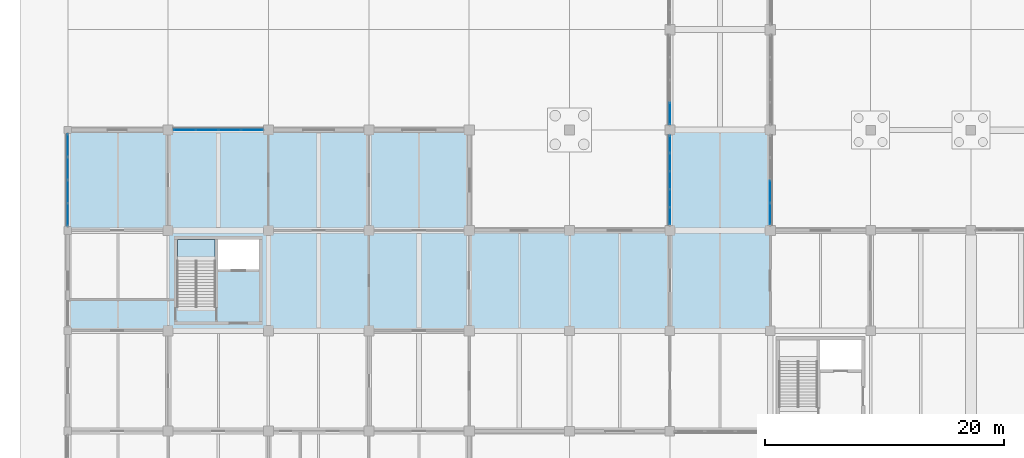
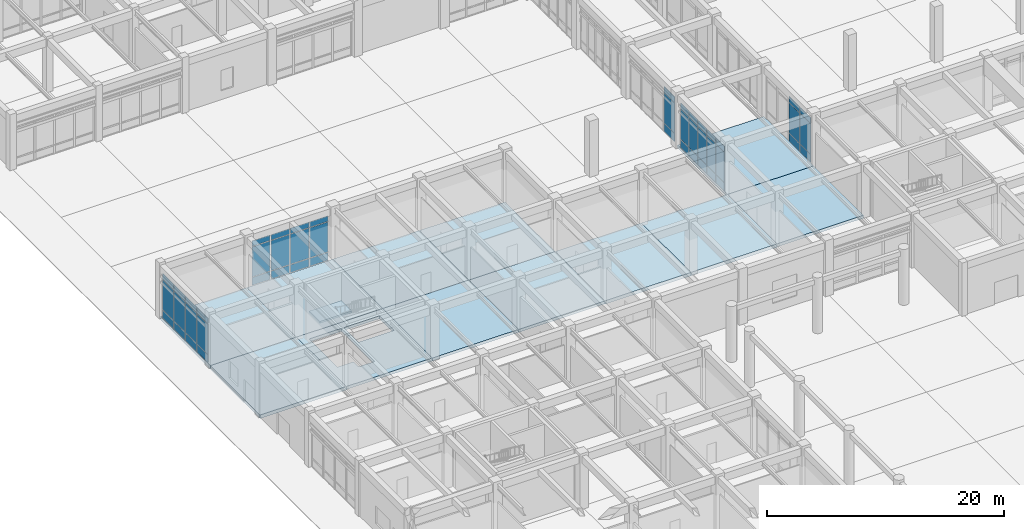
# One storey, part 52 of 91: 48 plates, 13 slabs, 6 elements without a shape of their own.
"""IFC4 building model written with IfcOpenShell, lengths in metres."""

from ifc_helpers import new_model, si_unit, direction, frame, origin, origin_2d, place, context, subcontext, project, spatial, polyline, rectangle, outline, extrude, material, layer, layer_set, type_object, element, aggregate, save


model = new_model("IFC4")

# Units and contexts
model_context = context("Model", 3, precision=1e-05, world=origin(), true_north=direction((0.0, 1.0)))
body_context = subcontext(model_context, "Body", "Model", "MODEL_VIEW")
ifc_project = project(units=[si_unit("LENGTHUNIT", "METRE"), si_unit("AREAUNIT", "SQUARE_METRE"), si_unit("VOLUMEUNIT", "CUBIC_METRE"), si_unit("PLANEANGLEUNIT", "RADIAN"), si_unit("MASSUNIT", "GRAM", prefix="KILO")], contexts=[model_context])

# Site, building, storey
site_placement = place(None, origin())
site = spatial("IfcSite", under=ifc_project, at=site_placement, CompositionType="ELEMENT")
building_placement = place(site_placement, origin())
building = spatial("IfcBuilding", under=site, at=building_placement, Name="Porcellanite Civic Hall", CompositionType="ELEMENT")
storey_placement = place(building_placement, origin())
storey = spatial("IfcBuildingStorey", under=building, at=storey_placement, Name="L00", CompositionType="ELEMENT", Elevation=0.0)

# Curtain wall, plates
ifc_material_1 = material(Name="Anodised aluminium and solar laminated glass", Category="aluminium")
ifc_layer_1 = layer(ifc_material_1, 0.179931640625)
ifc_layer_set_1 = layer_set([ifc_layer_1], Name="Anodised aluminium and solar laminated glass")
curtain_wall_type_1 = type_object("IfcCurtainWallType", Name="CW-SYS05", PredefinedType="NOTDEFINED", material=ifc_layer_set_1)
curtain_wall_1_placement = place(storey_placement, origin())
curtain_wall_1 = element("IfcCurtainWall", 1, at=curtain_wall_1_placement, inside=storey, type_object=curtain_wall_type_1, Name="Curtain wall CW-004", PredefinedType="NOTDEFINED")
ifc_material_2 = material(Name="Cyclone laminated solar-control low-E glass", Category="glass")
ifc_layer_2 = layer(ifc_material_2, 0.028076171875)
ifc_layer_set_2 = layer_set([ifc_layer_2], Name="Cyclone laminated solar-control low-E glass")
plate_type_1 = type_object("IfcPlateType", Name="CWP-03", PredefinedType="CURTAIN_PANEL", material=ifc_layer_set_2)
plate_1_placement = place(storey_placement, frame((0.0, 68.51513671875, 0.06005859375), z_axis=(0.0, 0.0, 1.0), x_axis=(0.0, 1.0, 0.0)))
plate_1 = element("IfcPlate", 2, at=plate_1_placement, type_object=plate_type_1, Name="CW-004 panel 1.1", PredefinedType="CURTAIN_PANEL", context=body_context, shape_type="SweptSolid", body=[
    extrude(rectangle(XDim=1.838134765625, YDim=0.028076171875, at=origin_2d()), origin(), (0.0, 0.0, 1.0), 0.81005859375),
])
plate_2_placement = place(storey_placement, frame((0.0, 68.51513671875, 0.93017578125), z_axis=(0.0, 0.0, 1.0), x_axis=(0.0, 1.0, 0.0)))
plate_2 = element("IfcPlate", 3, at=plate_2_placement, type_object=plate_type_1, Name="CW-004 panel 1.2", PredefinedType="CURTAIN_PANEL", context=body_context, shape_type="SweptSolid", body=[
    extrude(rectangle(XDim=1.838134765625, YDim=0.028076171875, at=origin_2d()), origin(), (0.0, 0.0, 1.0), 3.090087890625),
])
plate_3_placement = place(storey_placement, frame((0.0, 68.51513671875, 4.080078125), z_axis=(0.0, 0.0, 1.0), x_axis=(0.0, 1.0, 0.0)))
plate_3 = element("IfcPlate", 4, at=plate_3_placement, type_object=plate_type_1, Name="CW-004 panel 1.3", PredefinedType="CURTAIN_PANEL", context=body_context, shape_type="SweptSolid", body=[
    extrude(rectangle(XDim=1.838134765625, YDim=0.028076171875, at=origin_2d()), origin(), (0.0, 0.0, 1.0), 0.56005859375),
])
plate_4_placement = place(storey_placement, frame((0.0, 70.44091796875, 0.06005859375), z_axis=(0.0, 0.0, 1.0), x_axis=(0.0, 1.0, 0.0)))
plate_4 = element("IfcPlate", 5, at=plate_4_placement, type_object=plate_type_1, Name="CW-004 panel 2.1", PredefinedType="CURTAIN_PANEL", context=body_context, shape_type="SweptSolid", body=[
    extrude(rectangle(XDim=1.873291015625, YDim=0.028076171875, at=origin_2d()), origin(), (0.0, 0.0, 1.0), 0.81005859375),
])
plate_5_placement = place(storey_placement, frame((0.0, 70.44091796875, 0.93017578125), z_axis=(0.0, 0.0, 1.0), x_axis=(0.0, 1.0, 0.0)))
plate_5 = element("IfcPlate", 6, at=plate_5_placement, type_object=plate_type_1, Name="CW-004 panel 2.2", PredefinedType="CURTAIN_PANEL", context=body_context, shape_type="SweptSolid", body=[
    extrude(rectangle(XDim=1.873291015625, YDim=0.028076171875, at=origin_2d()), origin(), (0.0, 0.0, 1.0), 3.090087890625),
])
plate_6_placement = place(storey_placement, frame((0.0, 70.44091796875, 4.080078125), z_axis=(0.0, 0.0, 1.0), x_axis=(0.0, 1.0, 0.0)))
plate_6 = element("IfcPlate", 7, at=plate_6_placement, type_object=plate_type_1, Name="CW-004 panel 2.3", PredefinedType="CURTAIN_PANEL", context=body_context, shape_type="SweptSolid", body=[
    extrude(rectangle(XDim=1.873291015625, YDim=0.028076171875, at=origin_2d()), origin(), (0.0, 0.0, 1.0), 0.56005859375),
])
plate_7_placement = place(storey_placement, frame((0.0, 72.384033203125, 0.06005859375), z_axis=(0.0, 0.0, 1.0), x_axis=(0.0, 1.0, 0.0)))
plate_7 = element("IfcPlate", 8, at=plate_7_placement, type_object=plate_type_1, Name="CW-004 panel 3.1", PredefinedType="CURTAIN_PANEL", context=body_context, shape_type="SweptSolid", body=[
    extrude(rectangle(XDim=1.873291015625, YDim=0.028076171875, at=origin_2d()), origin(), (0.0, 0.0, 1.0), 0.81005859375),
])
plate_8_placement = place(storey_placement, frame((0.0, 72.384033203125, 0.93017578125), z_axis=(0.0, 0.0, 1.0), x_axis=(0.0, 1.0, 0.0)))
plate_8 = element("IfcPlate", 9, at=plate_8_placement, type_object=plate_type_1, Name="CW-004 panel 3.2", PredefinedType="CURTAIN_PANEL", context=body_context, shape_type="SweptSolid", body=[
    extrude(rectangle(XDim=1.873291015625, YDim=0.028076171875, at=origin_2d()), origin(), (0.0, 0.0, 1.0), 3.090087890625),
])
plate_9_placement = place(storey_placement, frame((0.0, 72.384033203125, 4.080078125), z_axis=(0.0, 0.0, 1.0), x_axis=(0.0, 1.0, 0.0)))
plate_9 = element("IfcPlate", 10, at=plate_9_placement, type_object=plate_type_1, Name="CW-004 panel 3.3", PredefinedType="CURTAIN_PANEL", context=body_context, shape_type="SweptSolid", body=[
    extrude(rectangle(XDim=1.873291015625, YDim=0.028076171875, at=origin_2d()), origin(), (0.0, 0.0, 1.0), 0.56005859375),
])
plate_10_placement = place(storey_placement, frame((0.0, 74.309814453125, 0.06005859375), z_axis=(0.0, 0.0, 1.0), x_axis=(0.0, 1.0, 0.0)))
plate_10 = element("IfcPlate", 11, at=plate_10_placement, type_object=plate_type_1, Name="CW-004 panel 4.1", PredefinedType="CURTAIN_PANEL", context=body_context, shape_type="SweptSolid", body=[
    extrude(rectangle(XDim=1.838134765625, YDim=0.028076171875, at=origin_2d()), origin(), (0.0, 0.0, 1.0), 0.81005859375),
])
plate_11_placement = place(storey_placement, frame((0.0, 74.309814453125, 0.93017578125), z_axis=(0.0, 0.0, 1.0), x_axis=(0.0, 1.0, 0.0)))
plate_11 = element("IfcPlate", 12, at=plate_11_placement, type_object=plate_type_1, Name="CW-004 panel 4.2", PredefinedType="CURTAIN_PANEL", context=body_context, shape_type="SweptSolid", body=[
    extrude(rectangle(XDim=1.838134765625, YDim=0.028076171875, at=origin_2d()), origin(), (0.0, 0.0, 1.0), 3.090087890625),
])
plate_12_placement = place(storey_placement, frame((0.0, 74.309814453125, 4.080078125), z_axis=(0.0, 0.0, 1.0), x_axis=(0.0, 1.0, 0.0)))
plate_12 = element("IfcPlate", 13, at=plate_12_placement, type_object=plate_type_1, Name="CW-004 panel 4.3", PredefinedType="CURTAIN_PANEL", context=body_context, shape_type="SweptSolid", body=[
    extrude(rectangle(XDim=1.838134765625, YDim=0.028076171875, at=origin_2d()), origin(), (0.0, 0.0, 1.0), 0.56005859375),
])
aggregate(curtain_wall_1, [plate_1, plate_2, plate_3, plate_4, plate_5, plate_6, plate_7, plate_8, plate_9, plate_10, plate_11, plate_12])

curtain_wall_2_placement = place(storey_placement, origin())
curtain_wall_2 = element("IfcCurtainWall", 14, at=curtain_wall_2_placement, inside=storey, type_object=curtain_wall_type_1, Name="Curtain wall CW-007", PredefinedType="NOTDEFINED")
plate_13_placement = place(storey_placement, frame((9.787109375, 75.60009765625, 0.06005859375), z_axis=(0.0, 0.0, 1.0), x_axis=(1.0, 0.0, 0.0)))
plate_13 = element("IfcPlate", 15, at=plate_13_placement, type_object=plate_type_1, Name="CW-007 panel 1.1", PredefinedType="CURTAIN_PANEL", context=body_context, shape_type="SweptSolid", body=[
    extrude(rectangle(XDim=1.781982421875, YDim=0.028076171875, at=origin_2d()), origin(), (0.0, 0.0, 1.0), 0.81005859375),
])
plate_14_placement = place(storey_placement, frame((9.787109375, 75.60009765625, 0.93017578125), z_axis=(0.0, 0.0, 1.0), x_axis=(1.0, 0.0, 0.0)))
plate_14 = element("IfcPlate", 16, at=plate_14_placement, type_object=plate_type_1, Name="CW-007 panel 1.2", PredefinedType="CURTAIN_PANEL", context=body_context, shape_type="SweptSolid", body=[
    extrude(rectangle(XDim=1.781982421875, YDim=0.028076171875, at=origin_2d()), origin(), (0.0, 0.0, 1.0), 3.090087890625),
])
plate_15_placement = place(storey_placement, frame((9.787109375, 75.60009765625, 4.080078125), z_axis=(0.0, 0.0, 1.0), x_axis=(1.0, 0.0, 0.0)))
plate_15 = element("IfcPlate", 17, at=plate_15_placement, type_object=plate_type_1, Name="CW-007 panel 1.3", PredefinedType="CURTAIN_PANEL", context=body_context, shape_type="SweptSolid", body=[
    extrude(rectangle(XDim=1.781982421875, YDim=0.028076171875, at=origin_2d()), origin(), (0.0, 0.0, 1.0), 0.56005859375),
])
plate_16_placement = place(storey_placement, frame((11.656494140625, 75.60009765625, 0.06005859375), z_axis=(0.0, 0.0, 1.0), x_axis=(1.0, 0.0, 0.0)))
plate_16 = element("IfcPlate", 18, at=plate_16_placement, type_object=plate_type_1, Name="CW-007 panel 2.1", PredefinedType="CURTAIN_PANEL", context=body_context, shape_type="SweptSolid", body=[
    extrude(rectangle(XDim=1.81689453125, YDim=0.028076171875, at=origin_2d()), origin(), (0.0, 0.0, 1.0), 0.81005859375),
])
plate_17_placement = place(storey_placement, frame((11.656494140625, 75.60009765625, 0.93017578125), z_axis=(0.0, 0.0, 1.0), x_axis=(1.0, 0.0, 0.0)))
plate_17 = element("IfcPlate", 19, at=plate_17_placement, type_object=plate_type_1, Name="CW-007 panel 2.2", PredefinedType="CURTAIN_PANEL", context=body_context, shape_type="SweptSolid", body=[
    extrude(rectangle(XDim=1.81689453125, YDim=0.028076171875, at=origin_2d()), origin(), (0.0, 0.0, 1.0), 3.090087890625),
])
plate_18_placement = place(storey_placement, frame((11.656494140625, 75.60009765625, 4.080078125), z_axis=(0.0, 0.0, 1.0), x_axis=(1.0, 0.0, 0.0)))
plate_18 = element("IfcPlate", 20, at=plate_18_placement, type_object=plate_type_1, Name="CW-007 panel 2.3", PredefinedType="CURTAIN_PANEL", context=body_context, shape_type="SweptSolid", body=[
    extrude(rectangle(XDim=1.81689453125, YDim=0.028076171875, at=origin_2d()), origin(), (0.0, 0.0, 1.0), 0.56005859375),
])
plate_19_placement = place(storey_placement, frame((13.54345703125, 75.60009765625, 0.06005859375), z_axis=(0.0, 0.0, 1.0), x_axis=(1.0, 0.0, 0.0)))
plate_19 = element("IfcPlate", 21, at=plate_19_placement, type_object=plate_type_1, Name="CW-007 panel 3.1", PredefinedType="CURTAIN_PANEL", context=body_context, shape_type="SweptSolid", body=[
    extrude(rectangle(XDim=1.81689453125, YDim=0.028076171875, at=origin_2d()), origin(), (0.0, 0.0, 1.0), 0.81005859375),
])
plate_20_placement = place(storey_placement, frame((13.54345703125, 75.60009765625, 0.93017578125), z_axis=(0.0, 0.0, 1.0), x_axis=(1.0, 0.0, 0.0)))
plate_20 = element("IfcPlate", 22, at=plate_20_placement, type_object=plate_type_1, Name="CW-007 panel 3.2", PredefinedType="CURTAIN_PANEL", context=body_context, shape_type="SweptSolid", body=[
    extrude(rectangle(XDim=1.81689453125, YDim=0.028076171875, at=origin_2d()), origin(), (0.0, 0.0, 1.0), 3.090087890625),
])
plate_21_placement = place(storey_placement, frame((13.54345703125, 75.60009765625, 4.080078125), z_axis=(0.0, 0.0, 1.0), x_axis=(1.0, 0.0, 0.0)))
plate_21 = element("IfcPlate", 23, at=plate_21_placement, type_object=plate_type_1, Name="CW-007 panel 3.3", PredefinedType="CURTAIN_PANEL", context=body_context, shape_type="SweptSolid", body=[
    extrude(rectangle(XDim=1.81689453125, YDim=0.028076171875, at=origin_2d()), origin(), (0.0, 0.0, 1.0), 0.56005859375),
])
plate_22_placement = place(storey_placement, frame((15.4130859375, 75.60009765625, 0.06005859375), z_axis=(0.0, 0.0, 1.0), x_axis=(1.0, 0.0, 0.0)))
plate_22 = element("IfcPlate", 24, at=plate_22_placement, type_object=plate_type_1, Name="CW-007 panel 4.1", PredefinedType="CURTAIN_PANEL", context=body_context, shape_type="SweptSolid", body=[
    extrude(rectangle(XDim=1.781982421875, YDim=0.028076171875, at=origin_2d()), origin(), (0.0, 0.0, 1.0), 0.81005859375),
])
plate_23_placement = place(storey_placement, frame((15.4130859375, 75.60009765625, 0.93017578125), z_axis=(0.0, 0.0, 1.0), x_axis=(1.0, 0.0, 0.0)))
plate_23 = element("IfcPlate", 25, at=plate_23_placement, type_object=plate_type_1, Name="CW-007 panel 4.2", PredefinedType="CURTAIN_PANEL", context=body_context, shape_type="SweptSolid", body=[
    extrude(rectangle(XDim=1.781982421875, YDim=0.028076171875, at=origin_2d()), origin(), (0.0, 0.0, 1.0), 3.090087890625),
])
plate_24_placement = place(storey_placement, frame((15.4130859375, 75.60009765625, 4.080078125), z_axis=(0.0, 0.0, 1.0), x_axis=(1.0, 0.0, 0.0)))
plate_24 = element("IfcPlate", 26, at=plate_24_placement, type_object=plate_type_1, Name="CW-007 panel 4.3", PredefinedType="CURTAIN_PANEL", context=body_context, shape_type="SweptSolid", body=[
    extrude(rectangle(XDim=1.781982421875, YDim=0.028076171875, at=origin_2d()), origin(), (0.0, 0.0, 1.0), 0.56005859375),
])
aggregate(curtain_wall_2, [plate_13, plate_14, plate_15, plate_16, plate_17, plate_18, plate_19, plate_20, plate_21, plate_22, plate_23, plate_24])

ifc_material_3 = material(Name="Anodised aluminium and solar laminated glass", Category="aluminium")
ifc_layer_3 = layer(ifc_material_3, 0.179931640625)
ifc_layer_set_3 = layer_set([ifc_layer_3], Name="Anodised aluminium and solar laminated glass")
curtain_wall_type_2 = type_object("IfcCurtainWallType", Name="CW-SYS01", PredefinedType="NOTDEFINED", material=ifc_layer_set_3)
curtain_wall_3_placement = place(storey_placement, origin())
curtain_wall_3 = element("IfcCurtainWall", 27, at=curtain_wall_3_placement, inside=storey, type_object=curtain_wall_type_2, Name="Curtain wall CW-017", PredefinedType="NOTDEFINED")
ifc_material_4 = material(Name="Insulated ochre aluminium spandrel panel", Category="aluminium")
ifc_layer_4 = layer(ifc_material_4, 0.0380859375)
ifc_layer_set_4 = layer_set([ifc_layer_4], Name="Insulated ochre aluminium spandrel panel")
plate_type_2 = type_object("IfcPlateType", Name="CWP-08", PredefinedType="CURTAIN_PANEL", material=ifc_layer_set_4)
plate_25_placement = place(storey_placement, frame((50.39990234375, 68.398193359375, 0.06005859375), z_axis=(0.0, 0.0, 1.0), x_axis=(0.0, 1.0, 0.0)))
plate_25 = element("IfcPlate", 28, at=plate_25_placement, type_object=plate_type_2, Name="CW-017 panel 1.1", PredefinedType="CURTAIN_PANEL", context=body_context, shape_type="SweptSolid", body=[
    extrude(rectangle(XDim=1.404541015625, YDim=0.0380859375, at=origin_2d()), origin(), (0.0, 0.0, 1.0), 0.81005859375),
])
plate_26_placement = place(storey_placement, frame((50.39990234375, 68.398193359375, 0.93017578125), z_axis=(0.0, 0.0, 1.0), x_axis=(0.0, 1.0, 0.0)))
plate_26 = element("IfcPlate", 29, at=plate_26_placement, type_object=plate_type_2, Name="CW-017 panel 1.2", PredefinedType="CURTAIN_PANEL", context=body_context, shape_type="SweptSolid", body=[
    extrude(rectangle(XDim=1.404541015625, YDim=0.0380859375, at=origin_2d()), origin(), (0.0, 0.0, 1.0), 3.090087890625),
])
plate_27_placement = place(storey_placement, frame((50.39990234375, 68.398193359375, 4.080078125), z_axis=(0.0, 0.0, 1.0), x_axis=(0.0, 1.0, 0.0)))
plate_27 = element("IfcPlate", 30, at=plate_27_placement, type_object=plate_type_2, Name="CW-017 panel 1.3", PredefinedType="CURTAIN_PANEL", context=body_context, shape_type="SweptSolid", body=[
    extrude(rectangle(XDim=1.404541015625, YDim=0.0380859375, at=origin_2d()), origin(), (0.0, 0.0, 1.0), 0.56005859375),
])
plate_28_placement = place(storey_placement, frame((50.39990234375, 69.890380859375, 0.06005859375), z_axis=(0.0, 0.0, 1.0), x_axis=(0.0, 1.0, 0.0)))
plate_28 = element("IfcPlate", 31, at=plate_28_placement, type_object=plate_type_2, Name="CW-017 panel 2.1", PredefinedType="CURTAIN_PANEL", context=body_context, shape_type="SweptSolid", body=[
    extrude(rectangle(XDim=1.439697265625, YDim=0.0380859375, at=origin_2d()), origin(), (0.0, 0.0, 1.0), 0.81005859375),
])
plate_29_placement = place(storey_placement, frame((50.39990234375, 69.890380859375, 0.93017578125), z_axis=(0.0, 0.0, 1.0), x_axis=(0.0, 1.0, 0.0)))
plate_29 = element("IfcPlate", 32, at=plate_29_placement, type_object=plate_type_2, Name="CW-017 panel 2.2", PredefinedType="CURTAIN_PANEL", context=body_context, shape_type="SweptSolid", body=[
    extrude(rectangle(XDim=1.439697265625, YDim=0.0380859375, at=origin_2d()), origin(), (0.0, 0.0, 1.0), 3.090087890625),
])
plate_30_placement = place(storey_placement, frame((50.39990234375, 69.890380859375, 4.080078125), z_axis=(0.0, 0.0, 1.0), x_axis=(0.0, 1.0, 0.0)))
plate_30 = element("IfcPlate", 33, at=plate_30_placement, type_object=plate_type_2, Name="CW-017 panel 2.3", PredefinedType="CURTAIN_PANEL", context=body_context, shape_type="SweptSolid", body=[
    extrude(rectangle(XDim=1.439697265625, YDim=0.0380859375, at=origin_2d()), origin(), (0.0, 0.0, 1.0), 0.56005859375),
])
plate_31_placement = place(storey_placement, frame((50.39990234375, 71.39990234375, 0.06005859375), z_axis=(0.0, 0.0, 1.0), x_axis=(0.0, 1.0, 0.0)))
plate_31 = element("IfcPlate", 34, at=plate_31_placement, type_object=plate_type_2, Name="CW-017 panel 3.1", PredefinedType="CURTAIN_PANEL", context=body_context, shape_type="SweptSolid", body=[
    extrude(rectangle(XDim=1.439697265625, YDim=0.0380859375, at=origin_2d()), origin(), (0.0, 0.0, 1.0), 0.81005859375),
])
plate_32_placement = place(storey_placement, frame((50.39990234375, 71.39990234375, 0.93017578125), z_axis=(0.0, 0.0, 1.0), x_axis=(0.0, 1.0, 0.0)))
plate_32 = element("IfcPlate", 35, at=plate_32_placement, type_object=plate_type_2, Name="CW-017 panel 3.2", PredefinedType="CURTAIN_PANEL", context=body_context, shape_type="SweptSolid", body=[
    extrude(rectangle(XDim=1.439697265625, YDim=0.0380859375, at=origin_2d()), origin(), (0.0, 0.0, 1.0), 3.090087890625),
])
plate_33_placement = place(storey_placement, frame((50.39990234375, 71.39990234375, 4.080078125), z_axis=(0.0, 0.0, 1.0), x_axis=(0.0, 1.0, 0.0)))
plate_33 = element("IfcPlate", 36, at=plate_33_placement, type_object=plate_type_2, Name="CW-017 panel 3.3", PredefinedType="CURTAIN_PANEL", context=body_context, shape_type="SweptSolid", body=[
    extrude(rectangle(XDim=1.439697265625, YDim=0.0380859375, at=origin_2d()), origin(), (0.0, 0.0, 1.0), 0.56005859375),
])
plate_34_placement = place(storey_placement, frame((50.39990234375, 72.90966796875, 0.06005859375), z_axis=(0.0, 0.0, 1.0), x_axis=(0.0, 1.0, 0.0)))
plate_34 = element("IfcPlate", 37, at=plate_34_placement, type_object=plate_type_2, Name="CW-017 panel 4.1", PredefinedType="CURTAIN_PANEL", context=body_context, shape_type="SweptSolid", body=[
    extrude(rectangle(XDim=1.439697265625, YDim=0.0380859375, at=origin_2d()), origin(), (0.0, 0.0, 1.0), 0.81005859375),
])
plate_35_placement = place(storey_placement, frame((50.39990234375, 72.90966796875, 0.93017578125), z_axis=(0.0, 0.0, 1.0), x_axis=(0.0, 1.0, 0.0)))
plate_35 = element("IfcPlate", 38, at=plate_35_placement, type_object=plate_type_2, Name="CW-017 panel 4.2", PredefinedType="CURTAIN_PANEL", context=body_context, shape_type="SweptSolid", body=[
    extrude(rectangle(XDim=1.439697265625, YDim=0.0380859375, at=origin_2d()), origin(), (0.0, 0.0, 1.0), 3.090087890625),
])
plate_36_placement = place(storey_placement, frame((50.39990234375, 72.90966796875, 4.080078125), z_axis=(0.0, 0.0, 1.0), x_axis=(0.0, 1.0, 0.0)))
plate_36 = element("IfcPlate", 39, at=plate_36_placement, type_object=plate_type_2, Name="CW-017 panel 4.3", PredefinedType="CURTAIN_PANEL", context=body_context, shape_type="SweptSolid", body=[
    extrude(rectangle(XDim=1.439697265625, YDim=0.0380859375, at=origin_2d()), origin(), (0.0, 0.0, 1.0), 0.56005859375),
])
plate_37_placement = place(storey_placement, frame((50.39990234375, 74.401611328125, 0.06005859375), z_axis=(0.0, 0.0, 1.0), x_axis=(0.0, 1.0, 0.0)))
plate_37 = element("IfcPlate", 40, at=plate_37_placement, type_object=plate_type_2, Name="CW-017 panel 5.1", PredefinedType="CURTAIN_PANEL", context=body_context, shape_type="SweptSolid", body=[
    extrude(rectangle(XDim=1.404541015625, YDim=0.0380859375, at=origin_2d()), origin(), (0.0, 0.0, 1.0), 0.81005859375),
])
plate_38_placement = place(storey_placement, frame((50.39990234375, 74.401611328125, 0.93017578125), z_axis=(0.0, 0.0, 1.0), x_axis=(0.0, 1.0, 0.0)))
plate_38 = element("IfcPlate", 41, at=plate_38_placement, type_object=plate_type_2, Name="CW-017 panel 5.2", PredefinedType="CURTAIN_PANEL", context=body_context, shape_type="SweptSolid", body=[
    extrude(rectangle(XDim=1.404541015625, YDim=0.0380859375, at=origin_2d()), origin(), (0.0, 0.0, 1.0), 3.090087890625),
])
plate_39_placement = place(storey_placement, frame((50.39990234375, 74.401611328125, 4.080078125), z_axis=(0.0, 0.0, 1.0), x_axis=(0.0, 1.0, 0.0)))
plate_39 = element("IfcPlate", 42, at=plate_39_placement, type_object=plate_type_2, Name="CW-017 panel 5.3", PredefinedType="CURTAIN_PANEL", context=body_context, shape_type="SweptSolid", body=[
    extrude(rectangle(XDim=1.404541015625, YDim=0.0380859375, at=origin_2d()), origin(), (0.0, 0.0, 1.0), 0.56005859375),
])
aggregate(curtain_wall_3, [plate_25, plate_26, plate_27, plate_28, plate_29, plate_30, plate_31, plate_32, plate_33, plate_34, plate_35, plate_36, plate_37, plate_38, plate_39])

ifc_material_5 = material(Name="Anodised aluminium and solar laminated glass", Category="aluminium")
ifc_layer_5 = layer(ifc_material_5, 0.179931640625)
ifc_layer_set_5 = layer_set([ifc_layer_5], Name="Anodised aluminium and solar laminated glass")
curtain_wall_type_3 = type_object("IfcCurtainWallType", Name="CW-SYS03", PredefinedType="NOTDEFINED", material=ifc_layer_set_5)
curtain_wall_4_placement = place(storey_placement, origin())
curtain_wall_4 = element("IfcCurtainWall", 43, at=curtain_wall_4_placement, inside=storey, type_object=curtain_wall_type_3, Name="Curtain wall CW-018", PredefinedType="NOTDEFINED")
ifc_material_6 = material(Name="Insulated ochre aluminium spandrel panel", Category="aluminium")
ifc_layer_6 = layer(ifc_material_6, 0.0419921875)
ifc_layer_set_6 = layer_set([ifc_layer_6], Name="Insulated ochre aluminium spandrel panel")
plate_type_3 = type_object("IfcPlateType", Name="CWP-09", PredefinedType="CURTAIN_PANEL", material=ifc_layer_set_6)
plate_40_placement = place(storey_placement, frame((58.800048828125, 70.45654296875, 0.05517578125), z_axis=(0.0, 0.0, 1.0), x_axis=(0.0, -1.0, 0.0)))
plate_40 = element("IfcPlate", 44, at=plate_40_placement, type_object=plate_type_3, Name="CW-018 panel 3.1", PredefinedType="CURTAIN_PANEL", context=body_context, shape_type="SweptSolid", body=[
    extrude(rectangle(XDim=1.806884765625, YDim=0.0419921875, at=origin_2d()), origin(), (0.0, 0.0, 1.0), 0.8173828125),
])
plate_41_placement = place(storey_placement, frame((58.800048828125, 70.45654296875, 0.927734375), z_axis=(0.0, 0.0, 1.0), x_axis=(0.0, -1.0, 0.0)))
plate_41 = element("IfcPlate", 45, at=plate_41_placement, type_object=plate_type_3, Name="CW-018 panel 3.2", PredefinedType="CURTAIN_PANEL", context=body_context, shape_type="SweptSolid", body=[
    extrude(rectangle(XDim=1.806884765625, YDim=0.0419921875, at=origin_2d()), origin(), (0.0, 0.0, 1.0), 3.094970703125),
])
plate_42_placement = place(storey_placement, frame((58.800048828125, 70.45654296875, 4.07763671875), z_axis=(0.0, 0.0, 1.0), x_axis=(0.0, -1.0, 0.0)))
plate_42 = element("IfcPlate", 46, at=plate_42_placement, type_object=plate_type_3, Name="CW-018 panel 3.3", PredefinedType="CURTAIN_PANEL", context=body_context, shape_type="SweptSolid", body=[
    extrude(rectangle(XDim=1.806884765625, YDim=0.0419921875, at=origin_2d()), origin(), (0.0, 0.0, 1.0), 0.5673828125),
])
plate_43_placement = place(storey_placement, frame((58.800048828125, 68.589599609375, 0.05517578125), z_axis=(0.0, 0.0, 1.0), x_axis=(0.0, -1.0, 0.0)))
plate_43 = element("IfcPlate", 47, at=plate_43_placement, type_object=plate_type_3, Name="CW-018 panel 4.1", PredefinedType="CURTAIN_PANEL", context=body_context, shape_type="SweptSolid", body=[
    extrude(rectangle(XDim=1.76708984375, YDim=0.0419921875, at=origin_2d()), origin(), (0.0, 0.0, 1.0), 0.8173828125),
])
plate_44_placement = place(storey_placement, frame((58.800048828125, 68.589599609375, 0.927734375), z_axis=(0.0, 0.0, 1.0), x_axis=(0.0, -1.0, 0.0)))
plate_44 = element("IfcPlate", 48, at=plate_44_placement, type_object=plate_type_3, Name="CW-018 panel 4.2", PredefinedType="CURTAIN_PANEL", context=body_context, shape_type="SweptSolid", body=[
    extrude(rectangle(XDim=1.76708984375, YDim=0.0419921875, at=origin_2d()), origin(), (0.0, 0.0, 1.0), 3.094970703125),
])
plate_45_placement = place(storey_placement, frame((58.800048828125, 68.589599609375, 4.07763671875), z_axis=(0.0, 0.0, 1.0), x_axis=(0.0, -1.0, 0.0)))
plate_45 = element("IfcPlate", 49, at=plate_45_placement, type_object=plate_type_3, Name="CW-018 panel 4.3", PredefinedType="CURTAIN_PANEL", context=body_context, shape_type="SweptSolid", body=[
    extrude(rectangle(XDim=1.76708984375, YDim=0.0419921875, at=origin_2d()), origin(), (0.0, 0.0, 1.0), 0.5673828125),
])
aggregate(curtain_wall_4, [plate_40, plate_41, plate_42, plate_43, plate_44, plate_45])

ifc_material_7 = material(Name="Anodised aluminium and solar laminated glass", Category="aluminium")
ifc_layer_7 = layer(ifc_material_7, 0.179931640625)
ifc_layer_set_7 = layer_set([ifc_layer_7], Name="Anodised aluminium and solar laminated glass")
curtain_wall_type_4 = type_object("IfcCurtainWallType", Name="CW-SYS04", PredefinedType="NOTDEFINED", material=ifc_layer_set_7)
curtain_wall_5_placement = place(storey_placement, origin())
curtain_wall_5 = element("IfcCurtainWall", 50, at=curtain_wall_5_placement, inside=storey, type_object=curtain_wall_type_4, Name="Curtain wall CW-019", PredefinedType="NOTDEFINED")
ifc_material_8 = material(Name="Insulated ochre aluminium spandrel panel", Category="aluminium")
ifc_layer_8 = layer(ifc_material_8, 0.0458984375)
ifc_layer_set_8 = layer_set([ifc_layer_8], Name="Insulated ochre aluminium spandrel panel")
plate_type_4 = type_object("IfcPlateType", Name="CWP-10", PredefinedType="CURTAIN_PANEL", material=ifc_layer_set_8)
plate_46_placement = place(storey_placement, frame((50.39990234375, 76.98828125, 0.05517578125), z_axis=(0.0, 0.0, 1.0), x_axis=(0.0, 1.0, 0.0)))
plate_46 = element("IfcPlate", 51, at=plate_46_placement, type_object=plate_type_4, Name="CW-019 panel 1.1", PredefinedType="CURTAIN_PANEL", context=body_context, shape_type="SweptSolid", body=[
    extrude(rectangle(XDim=1.7744140625, YDim=0.0458984375, at=origin_2d()), origin(), (0.0, 0.0, 1.0), 0.8173828125),
])
plate_47_placement = place(storey_placement, frame((50.39990234375, 76.98828125, 0.927734375), z_axis=(0.0, 0.0, 1.0), x_axis=(0.0, 1.0, 0.0)))
plate_47 = element("IfcPlate", 52, at=plate_47_placement, type_object=plate_type_4, Name="CW-019 panel 1.2", PredefinedType="CURTAIN_PANEL", context=body_context, shape_type="SweptSolid", body=[
    extrude(rectangle(XDim=1.7744140625, YDim=0.0458984375, at=origin_2d()), origin(), (0.0, 0.0, 1.0), 3.094970703125),
])
plate_48_placement = place(storey_placement, frame((50.39990234375, 76.98828125, 4.07763671875), z_axis=(0.0, 0.0, 1.0), x_axis=(0.0, 1.0, 0.0)))
plate_48 = element("IfcPlate", 53, at=plate_48_placement, type_object=plate_type_4, Name="CW-019 panel 1.3", PredefinedType="CURTAIN_PANEL", context=body_context, shape_type="SweptSolid", body=[
    extrude(rectangle(XDim=1.7744140625, YDim=0.0458984375, at=origin_2d()), origin(), (0.0, 0.0, 1.0), 0.5673828125),
])
aggregate(curtain_wall_5, [plate_46, plate_47, plate_48])

# Stair, slab
ifc_material_9 = material(Name="Concrete N40 (40 MPa)", Category="concrete")
stair_type = type_object("IfcStairType", Name="STR-HT32", PredefinedType="HALF_TURN_STAIR", material=ifc_material_9)
stair_placement = place(storey_placement, origin())
stair = element("IfcStair", 54, at=stair_placement, inside=storey, type_object=stair_type, Name="Fire stair ST-02 L00", PredefinedType="HALF_TURN_STAIR")
ifc_material_10 = material(Name="Concrete N40 (40 MPa)", Category="concrete")
ifc_layer_9 = layer(ifc_material_10, 0.179931640625)
ifc_layer_set_9 = layer_set([ifc_layer_9], Name="Concrete N40 (40 MPa)")
slab_type_1 = type_object("IfcSlabType", Name="LND-18", PredefinedType="LANDING", material=ifc_layer_set_9)
slab_1_placement = place(storey_placement, frame((0.0, 0.0, 2.699951171875)))
slab_1 = element("IfcSlab", 55, at=slab_1_placement, type_object=slab_type_1, Name="ST-02 landing 1", PredefinedType="LANDING", context=body_context, shape_type="SweptSolid", body=[
    extrude(outline(polyline([(9.180419921875, 64.625), (12.319580078125, 64.625), (12.319580078125, 66.41943359375), (9.180419921875, 66.41943359375), (9.180419921875, 64.625)])), origin(), (0.0, 0.0, 1.0), 0.179931640625),
])
aggregate(stair, [slab_1])

# Slabs
ifc_material_11 = material(Name="Concrete N40 (40 MPa)", Category="concrete")
ifc_layer_10 = layer(ifc_material_11, 0.35009765625)
ifc_layer_set_10 = layer_set([ifc_layer_10], Name="Concrete N40 (40 MPa)")
slab_type_2 = type_object("IfcSlabType", Name="SL-BASE350", PredefinedType="BASESLAB", material=ifc_layer_set_10)
slab_2_placement = place(storey_placement, frame((0.0, 0.0, -0.35009765625)))
element("IfcSlab", 56, at=slab_2_placement, inside=storey, type_object=slab_type_2, Name="Slab L00 bay 1-8", PredefinedType="BASESLAB", context=body_context, shape_type="SweptSolid", body=[
    extrude(outline(polyline([(0.0, 58.800048828125), (8.39990234375, 58.800048828125), (8.39990234375, 67.199951171875), (0.0, 67.199951171875), (0.0, 58.800048828125)])), origin(), (0.0, 0.0, 1.0), 0.35009765625),
])
slab_3_placement = place(storey_placement, frame((0.0, 0.0, -0.35009765625)))
element("IfcSlab", 57, at=slab_3_placement, inside=storey, type_object=slab_type_2, Name="Slab L00 bay 1-9", PredefinedType="BASESLAB", context=body_context, shape_type="SweptSolid", body=[
    extrude(outline(polyline([(0.0, 67.199951171875), (8.39990234375, 67.199951171875), (8.39990234375, 75.60009765625), (0.0, 75.60009765625), (0.0, 67.199951171875)])), origin(), (0.0, 0.0, 1.0), 0.35009765625),
])
slab_4_placement = place(storey_placement, frame((0.0, 0.0, -0.35009765625)))
element("IfcSlab", 58, at=slab_4_placement, inside=storey, type_object=slab_type_2, Name="Slab L00 bay 2-9", PredefinedType="BASESLAB", context=body_context, shape_type="SweptSolid", body=[
    extrude(outline(polyline([(8.39990234375, 67.199951171875), (16.800048828125, 67.199951171875), (16.800048828125, 75.60009765625), (8.39990234375, 75.60009765625), (8.39990234375, 67.199951171875)])), origin(), (0.0, 0.0, 1.0), 0.35009765625),
])
slab_5_placement = place(storey_placement, frame((0.0, 0.0, -0.35009765625)))
element("IfcSlab", 59, at=slab_5_placement, inside=storey, type_object=slab_type_2, Name="Slab L00 bay 3-9", PredefinedType="BASESLAB", context=body_context, shape_type="SweptSolid", body=[
    extrude(outline(polyline([(16.800048828125, 67.199951171875), (25.199951171875, 67.199951171875), (25.199951171875, 75.60009765625), (16.800048828125, 75.60009765625), (16.800048828125, 67.199951171875)])), origin(), (0.0, 0.0, 1.0), 0.35009765625),
])
slab_6_placement = place(storey_placement, frame((0.0, 0.0, -0.35009765625)))
element("IfcSlab", 60, at=slab_6_placement, inside=storey, type_object=slab_type_2, Name="Slab L00 bay 4-9", PredefinedType="BASESLAB", context=body_context, shape_type="SweptSolid", body=[
    extrude(outline(polyline([(25.199951171875, 67.199951171875), (33.60009765625, 67.199951171875), (33.60009765625, 75.60009765625), (25.199951171875, 75.60009765625), (25.199951171875, 67.199951171875)])), origin(), (0.0, 0.0, 1.0), 0.35009765625),
])
slab_7_placement = place(storey_placement, frame((0.0, 0.0, -0.35009765625)))
element("IfcSlab", 61, at=slab_7_placement, inside=storey, type_object=slab_type_2, Name="Slab L00 bay 5-8", PredefinedType="BASESLAB", context=body_context, shape_type="SweptSolid", body=[
    extrude(outline(polyline([(33.60009765625, 58.800048828125), (42.0, 58.800048828125), (42.0, 67.199951171875), (33.60009765625, 67.199951171875), (33.60009765625, 58.800048828125)])), origin(), (0.0, 0.0, 1.0), 0.35009765625),
])
slab_8_placement = place(storey_placement, frame((0.0, 0.0, -0.35009765625)))
element("IfcSlab", 62, at=slab_8_placement, inside=storey, type_object=slab_type_2, Name="Slab L00 bay 6-8", PredefinedType="BASESLAB", context=body_context, shape_type="SweptSolid", body=[
    extrude(outline(polyline([(42.0, 58.800048828125), (50.39990234375, 58.800048828125), (50.39990234375, 67.199951171875), (42.0, 67.199951171875), (42.0, 58.800048828125)])), origin(), (0.0, 0.0, 1.0), 0.35009765625),
])
ifc_material_12 = material(Name="Concrete N40 (40 MPa)", Category="concrete")
ifc_layer_11 = layer(ifc_material_12, 0.300048828125)
ifc_layer_set_11 = layer_set([ifc_layer_11], Name="Concrete N40 (40 MPa)")
slab_type_3 = type_object("IfcSlabType", Name="SL-TR300", PredefinedType="FLOOR", material=ifc_layer_set_11)
slab_9_placement = place(storey_placement, frame((0.0, 0.0, -0.300048828125)))
element("IfcSlab", 63, at=slab_9_placement, inside=storey, type_object=slab_type_3, Name="Slab L00 bay 2-8", PredefinedType="FLOOR", context=body_context, shape_type="SweptSolid", body=[
    extrude(outline(polyline([(8.39990234375, 58.800048828125), (16.800048828125, 58.800048828125), (16.800048828125, 67.199951171875), (8.39990234375, 67.199951171875), (8.39990234375, 58.800048828125)]), holes=[polyline([(9.179931640625, 61.64990234375), (10.760009765625, 61.64990234375), (10.760009765625, 60.800048828125), (12.320068359375, 60.800048828125), (12.320068359375, 66.419921875), (9.179931640625, 66.419921875), (9.179931640625, 61.64990234375)]), polyline([(12.56005859375, 63.93994140625), (16.02001953125, 63.93994140625), (16.02001953125, 66.419921875), (12.56005859375, 66.419921875), (12.56005859375, 63.93994140625)])]), origin(), (0.0, 0.0, 1.0), 0.300048828125),
])
slab_10_placement = place(storey_placement, frame((0.0, 0.0, -0.300048828125)))
element("IfcSlab", 64, at=slab_10_placement, inside=storey, type_object=slab_type_3, Name="Slab L00 bay 3-8", PredefinedType="FLOOR", context=body_context, shape_type="SweptSolid", body=[
    extrude(outline(polyline([(16.800048828125, 58.800048828125), (25.199951171875, 58.800048828125), (25.199951171875, 67.199951171875), (16.800048828125, 67.199951171875), (16.800048828125, 58.800048828125)])), origin(), (0.0, 0.0, 1.0), 0.300048828125),
])
slab_11_placement = place(storey_placement, frame((0.0, 0.0, -0.300048828125)))
element("IfcSlab", 65, at=slab_11_placement, inside=storey, type_object=slab_type_3, Name="Slab L00 bay 4-8", PredefinedType="FLOOR", context=body_context, shape_type="SweptSolid", body=[
    extrude(outline(polyline([(25.199951171875, 58.800048828125), (33.60009765625, 58.800048828125), (33.60009765625, 67.199951171875), (25.199951171875, 67.199951171875), (25.199951171875, 58.800048828125)])), origin(), (0.0, 0.0, 1.0), 0.300048828125),
])
slab_12_placement = place(storey_placement, frame((0.0, 0.0, -0.300048828125)))
element("IfcSlab", 66, at=slab_12_placement, inside=storey, type_object=slab_type_3, Name="Slab L00 bay 7-8", PredefinedType="FLOOR", context=body_context, shape_type="SweptSolid", body=[
    extrude(outline(polyline([(50.39990234375, 58.800048828125), (58.800048828125, 58.800048828125), (58.800048828125, 67.199951171875), (50.39990234375, 67.199951171875), (50.39990234375, 58.800048828125)])), origin(), (0.0, 0.0, 1.0), 0.300048828125),
])
slab_13_placement = place(storey_placement, frame((0.0, 0.0, -0.300048828125)))
element("IfcSlab", 67, at=slab_13_placement, inside=storey, type_object=slab_type_3, Name="Slab L00 bay 7-9", PredefinedType="FLOOR", context=body_context, shape_type="SweptSolid", body=[
    extrude(outline(polyline([(50.39990234375, 67.199951171875), (58.800048828125, 67.199951171875), (58.800048828125, 75.60009765625), (50.39990234375, 75.60009765625), (50.39990234375, 67.199951171875)])), origin(), (0.0, 0.0, 1.0), 0.300048828125),
])

save(model, "model.ifc")
